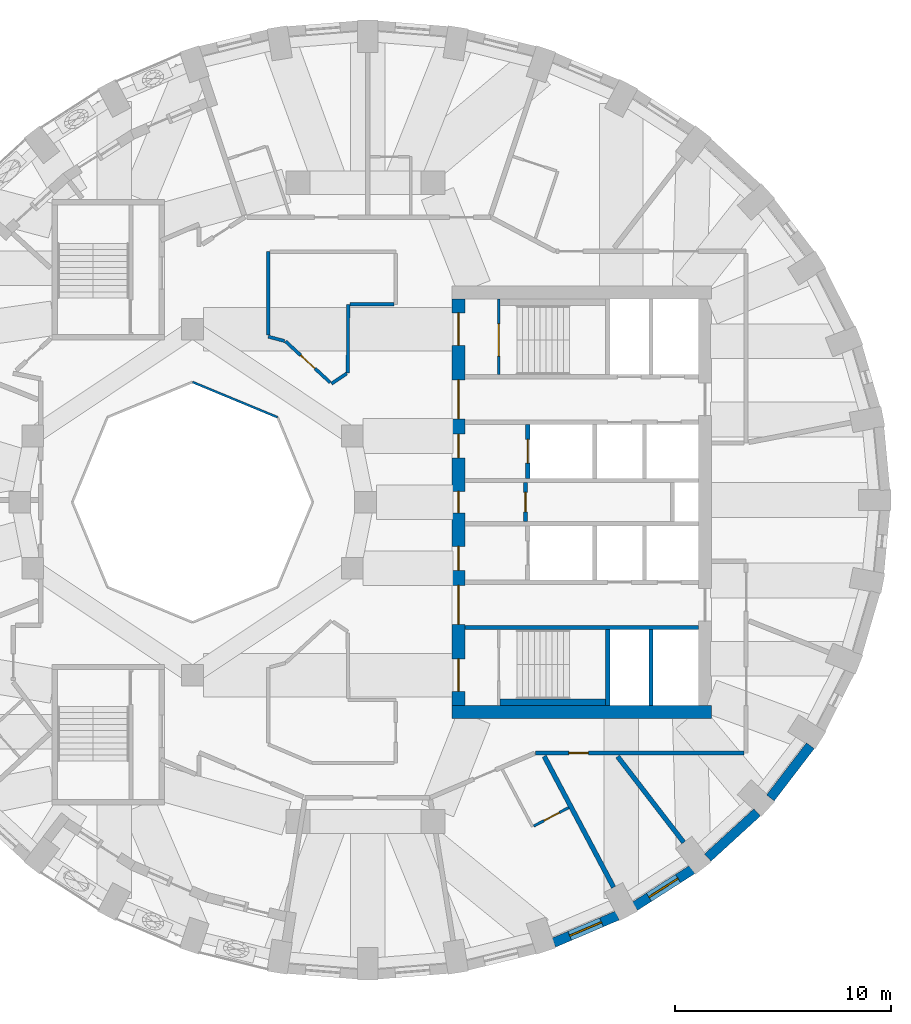
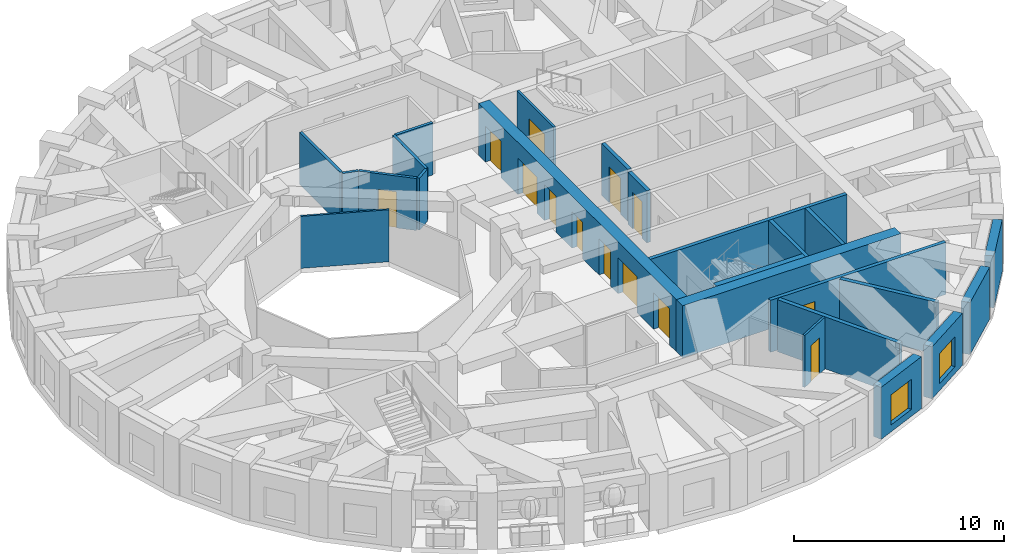
# One storey, part 5 of 12: 24 walls, 13 doors, 2 windows, 15 openings.
"""IFC4 building model written with IfcOpenShell, lengths in metres."""

from ifc_helpers import new_model, si_unit, direction, frame, frame_2d, origin, place, context, subcontext, project, spatial, rectangle, extrude, material, layer, layer_set, type_object, element, fill, save


model = new_model("IFC4")

# Units and contexts
model_context = context("Model", 3, precision=1e-05, world=origin(), true_north=direction((0.0, 1.0)))
body_context = subcontext(model_context, "Body", "Model", "MODEL_VIEW")
ifc_project = project(units=[si_unit("LENGTHUNIT", "METRE"), si_unit("AREAUNIT", "SQUARE_METRE"), si_unit("VOLUMEUNIT", "CUBIC_METRE"), si_unit("PLANEANGLEUNIT", "RADIAN"), si_unit("MASSUNIT", "GRAM", prefix="KILO")], contexts=[model_context])

# Site, building, storey
site_placement = place(None, origin())
site = spatial("IfcSite", under=ifc_project, at=site_placement, CompositionType="ELEMENT")
building_placement = place(site_placement, origin())
building = spatial("IfcBuilding", under=site, at=building_placement, Name="Taillehof Tower", CompositionType="ELEMENT")
storey_placement = place(building_placement, frame((0.0, 0.0, 164.89990234375)))
storey = spatial("IfcBuildingStorey", under=building, at=storey_placement, Name="L46", CompositionType="ELEMENT", Elevation=164.89990234375)

# Wall
ifc_material_1 = material(Name="Fire-resisting glass in steel frame", Category="steel")
ifc_layer_1 = layer(ifc_material_1, 0.10009765625)
ifc_layer_set_1 = layer_set([ifc_layer_1], Name="Atrium fire-resisting screen EI 60 100")
wall_type_1 = type_object("IfcWallType", Name="Atrium fire-resisting screen EI 60 100", PredefinedType="PARTITIONING", material=ifc_layer_set_1)
wall_1_placement = place(storey_placement, frame((-8.0, 5.55419921875, 0.0), z_axis=(0.0, 0.0, 1.0), x_axis=(0.923860025149, -0.382730523909, 0.0)))
element("IfcWall", 1, at=wall_1_placement, inside=storey, type_object=wall_type_1, Name="Atrium screen", PredefinedType="PARTITIONING", context=body_context, shape_type="SweptSolid", body=[
    extrude(rectangle(XDim=4.2509765625, YDim=0.10009765625, at=frame_2d((2.12548828125, 0.0))), origin(), (0.0, 0.0, 1.0), 3.02001953125),
])

# Wall, opening, window
ifc_material_2 = material(Name="Brick masonry", Category="masonry")
ifc_layer_2 = layer(ifc_material_2, 0.449951171875)
ifc_layer_set_2 = layer_set([ifc_layer_2], Name="Brick infill wall 450")
wall_type_2 = type_object("IfcWallType", Name="Brick infill wall 450", PredefinedType="SOLIDWALL", material=ifc_layer_set_2)
wall_2_placement = place(storey_placement, frame((8.706298828125, -20.37451171875, 0.0), z_axis=(0.0, 0.0, 1.0), x_axis=(0.91981046949, 0.392362969986, 0.0)))
wall_2 = element("IfcWall", 2, at=wall_2_placement, inside=storey, type_object=wall_type_2, Name="Brick wall L46 bay 30", PredefinedType="SOLIDWALL", context=body_context, shape_type="SweptSolid", body=[
    extrude(rectangle(XDim=3.20068359375, YDim=0.449951171875, at=frame_2d((1.600341796875, 0.0))), origin(), (0.0, 0.0, 1.0), 3.02001953125),
])
opening_1_placement = place(wall_2_placement, frame((0.80029296875, 0.0, 0.39990234375)))
opening_1 = element("IfcOpeningElement", 3, at=opening_1_placement, cuts=wall_2, Name="Opening W3", PredefinedType="OPENING", context=body_context, shape_type="SweptSolid", body=[
    extrude(rectangle(XDim=1.60009765625, YDim=1.75, at=frame_2d((0.800048828125, 0.875))), frame((0.0, 0.23486328125, 0.0), z_axis=(0.0, -1.0, 0.0), x_axis=(1.0, 0.0, 0.0)), (0.0, 0.0, 1.0), 0.469970703125),
])
ifc_material_3 = material(Name="Aluminium window frame with clear double glazing", Category="aluminium")
window_type = type_object("IfcWindowType", Name="Deep-set window 1600x1750", PartitioningType="SINGLE_PANEL", PredefinedType="WINDOW", material=ifc_material_3)
window_1_placement = place(opening_1_placement, origin())
window_1 = element("IfcWindow", 4, at=window_1_placement, inside=storey, type_object=window_type, Name="W3", OverallHeight=1.75, OverallWidth=1.60009765625, PartitioningType="SINGLE_PANEL", PredefinedType="WINDOW", context=body_context, shape_type="SweptSolid", body=[
    extrude(rectangle(XDim=1.60009765625, YDim=1.75, at=frame_2d((0.800048828125, 0.875))), frame((0.0, 0.034912109375, 0.0), z_axis=(0.0, -1.0, 0.0), x_axis=(1.0, 0.0, 0.0)), (0.0, 0.0, 1.0), 0.06005859375),
])
fill(opening_1, window_1)

wall_3_placement = place(storey_placement, frame((12.454833984375, -18.693115234375, 0.0), z_axis=(0.0, 0.0, 1.0), x_axis=(0.842065914439, 0.539374633943, 0.0)))
wall_3 = element("IfcWall", 5, at=wall_3_placement, inside=storey, type_object=wall_type_2, Name="Brick wall L46 bay 31", PredefinedType="SOLIDWALL", context=body_context, shape_type="SweptSolid", body=[
    extrude(rectangle(XDim=3.1513671875, YDim=0.449951171875, at=frame_2d((1.57568359375, 0.0))), origin(), (0.0, 0.0, 1.0), 3.02001953125),
])
opening_2_placement = place(wall_3_placement, frame((0.775634765625, 0.0, 0.39990234375)))
opening_2 = element("IfcOpeningElement", 6, at=opening_2_placement, cuts=wall_3, Name="Opening W3", PredefinedType="OPENING", context=body_context, shape_type="SweptSolid", body=[
    extrude(rectangle(XDim=1.60009765625, YDim=1.75, at=frame_2d((0.800048828125, 0.875))), frame((0.0, 0.23486328125, 0.0), z_axis=(0.0, -1.0, 0.0), x_axis=(1.0, 0.0, 0.0)), (0.0, 0.0, 1.0), 0.469970703125),
])
window_2_placement = place(opening_2_placement, origin())
window_2 = element("IfcWindow", 7, at=window_2_placement, inside=storey, type_object=window_type, Name="W3", OverallHeight=1.75, OverallWidth=1.60009765625, PartitioningType="SINGLE_PANEL", PredefinedType="WINDOW", context=body_context, shape_type="SweptSolid", body=[
    extrude(rectangle(XDim=1.60009765625, YDim=1.75, at=frame_2d((0.800048828125, 0.875))), frame((0.0, 0.034912109375, 0.0), z_axis=(0.0, -1.0, 0.0), x_axis=(1.0, 0.0, 0.0)), (0.0, 0.0, 1.0), 0.06005859375),
])
fill(opening_2, window_2)

# Walls
wall_4_placement = place(storey_placement, frame((15.830078125, -16.438720703125, 0.0), z_axis=(0.0, 0.0, 1.0), x_axis=(0.737808755941, 0.675009807082, 0.0)))
element("IfcWall", 8, at=wall_4_placement, inside=storey, type_object=wall_type_2, Name="Brick wall L46 bay 32", PredefinedType="SOLIDWALL", context=body_context, shape_type="SweptSolid", body=[
    extrude(rectangle(XDim=3.094482421875, YDim=0.449951171875, at=frame_2d((1.54736328125, 0.0))), origin(), (0.0, 0.0, 1.0), 3.02001953125),
])
wall_5_placement = place(storey_placement, frame((18.72802734375, -13.6787109375, 0.0), z_axis=(0.0, 0.0, 1.0), x_axis=(0.607817056371, 0.794077090706, 0.0)))
element("IfcWall", 9, at=wall_5_placement, inside=storey, type_object=wall_type_2, Name="Brick wall L46 bay 33", PredefinedType="SOLIDWALL", context=body_context, shape_type="SweptSolid", body=[
    extrude(rectangle(XDim=3.037109375, YDim=0.449951171875, at=frame_2d((1.5185546875, 0.0))), origin(), (0.0, 0.0, 1.0), 3.02001953125),
])

# Wall, opening, door
ifc_material_4 = material(Name="Calcium silicate masonry", Category="masonry")
ifc_layer_3 = layer(ifc_material_4, 0.199951171875)
ifc_layer_set_3 = layer_set([ifc_layer_3], Name="Compartment wall calcium silicate 200")
wall_type_3 = type_object("IfcWallType", Name="Compartment wall calcium silicate 200", PredefinedType="PARTITIONING", material=ifc_layer_set_3)
wall_6_placement = place(storey_placement, frame((7.39990234375, -0.89990234375, 0.0), z_axis=(0.0, 0.0, 1.0), x_axis=(0.0, 1.0, 0.0)))
wall_6 = element("IfcWall", 10, at=wall_6_placement, inside=storey, type_object=wall_type_3, Name="Compartment wall FW", PredefinedType="PARTITIONING", context=body_context, shape_type="SweptSolid", body=[
    extrude(rectangle(XDim=1.7998046875, YDim=0.199951171875, at=frame_2d((0.89990234375, 0.0))), origin(), (0.0, 0.0, 1.0), 3.02001953125),
])
opening_3_placement = place(wall_6_placement, frame((0.449951171875, 0.0, 0.0)))
opening_3 = element("IfcOpeningElement", 11, at=opening_3_placement, cuts=wall_6, Name="Opening D4614", PredefinedType="OPENING", context=body_context, shape_type="SweptSolid", body=[
    extrude(rectangle(XDim=0.89990234375, YDim=2.10009765625, at=frame_2d((0.449951171875, 1.050048828125))), frame((0.0, 0.10986328125, 0.0), z_axis=(0.0, -1.0, 0.0), x_axis=(1.0, 0.0, 0.0)), (0.0, 0.0, 1.0), 0.219970703125),
])
ifc_material_5 = material(Name="Steel-faced fire door", Category="steel")
door_type_1 = type_object("IfcDoorType", Name="Riser and service room door 900x2100", OperationType="SINGLE_SWING_LEFT", PredefinedType="DOOR", material=ifc_material_5)
door_1_placement = place(opening_3_placement, origin())
door_1 = element("IfcDoor", 12, at=door_1_placement, inside=storey, type_object=door_type_1, Name="Door Beverage Store", OperationType="SINGLE_SWING_RIGHT", OverallHeight=2.10009765625, OverallWidth=0.89990234375, PredefinedType="DOOR", context=body_context, shape_type="SweptSolid", body=[
    extrude(rectangle(XDim=0.89990234375, YDim=2.10009765625, at=frame_2d((0.449951171875, 1.050048828125))), frame((0.0, 0.02490234375, 0.0), z_axis=(0.0, -1.0, 0.0), x_axis=(1.0, 0.0, 0.0)), (0.0, 0.0, 1.0), 0.050048828125),
])
fill(opening_3, door_1)

ifc_material_6 = material(Name="Gypsum board on steel studs, two layers each side", Category="steel")
ifc_layer_4 = layer(ifc_material_6, 0.199951171875)
ifc_layer_set_4 = layer_set([ifc_layer_4], Name="Compartment wall corridor 200")
wall_type_4 = type_object("IfcWallType", Name="Compartment wall corridor 200", PredefinedType="PARTITIONING", material=ifc_layer_set_4)
wall_7_placement = place(storey_placement, frame((17.5, -11.60009765625, 0.0), z_axis=(0.0, 0.0, 1.0), x_axis=(-1.0, 0.0, 0.0)))
wall_7 = element("IfcWall", 13, at=wall_7_placement, inside=storey, type_object=wall_type_4, Name="Compartment wall", PredefinedType="PARTITIONING", context=body_context, shape_type="SweptSolid", body=[
    extrude(rectangle(XDim=9.64697265625, YDim=0.199951171875, at=frame_2d((4.823486328125, 0.0))), origin(), (0.0, 0.0, 1.0), 3.02001953125),
])
opening_4_placement = place(wall_7_placement, frame((7.192138671875, 0.0, 0.0)))
opening_4 = element("IfcOpeningElement", 14, at=opening_4_placement, cuts=wall_7, Name="Opening D4656", PredefinedType="OPENING", context=body_context, shape_type="SweptSolid", body=[
    extrude(rectangle(XDim=0.89990234375, YDim=2.10009765625, at=frame_2d((0.449951171875, 1.050048828125))), frame((0.0, 0.10986328125, 0.0), z_axis=(0.0, -1.0, 0.0), x_axis=(1.0, 0.0, 0.0)), (0.0, 0.0, 1.0), 0.219970703125),
])
ifc_material_7 = material(Name="Timber door leaf in steel frame", Category="steel")
door_type_2 = type_object("IfcDoorType", Name="Service room door EI 30 900 x 2100", OperationType="SINGLE_SWING_LEFT", PredefinedType="DOOR", material=ifc_material_7)
door_2_placement = place(opening_4_placement, origin())
door_2 = element("IfcDoor", 15, at=door_2_placement, inside=storey, type_object=door_type_2, Name="D4656", OperationType="SINGLE_SWING_RIGHT", OverallHeight=2.10009765625, OverallWidth=0.89990234375, PredefinedType="DOOR", context=body_context, shape_type="SweptSolid", body=[
    extrude(rectangle(XDim=0.89990234375, YDim=2.10009765625, at=frame_2d((0.449951171875, 1.050048828125))), frame((0.0, 0.02490234375, 0.0), z_axis=(0.0, -1.0, 0.0), x_axis=(1.0, 0.0, 0.0)), (0.0, 0.0, 1.0), 0.050048828125),
])
fill(opening_4, door_2)

# Walls
ifc_material_8 = material(Name="Gypsum board on double steel studs with mineral wool", Category="steel")
ifc_layer_5 = layer(ifc_material_8, 0.219970703125)
ifc_layer_set_5 = layer_set([ifc_layer_5], Name="Compartment wall guest room 220")
wall_type_5 = type_object("IfcWallType", Name="Compartment wall guest room 220", PredefinedType="PARTITIONING", material=ifc_layer_set_5)
wall_8_placement = place(storey_placement, frame((11.473876953125, -17.8134765625, 0.0), z_axis=(0.0, 0.0, 1.0), x_axis=(-0.468051273849, 0.88370130986, 0.0)))
element("IfcWall", 16, at=wall_8_placement, inside=storey, type_object=wall_type_5, Name="Compartment wall", PredefinedType="PARTITIONING", context=body_context, shape_type="SweptSolid", body=[
    extrude(rectangle(XDim=6.858154296875, YDim=0.219970703125, at=frame_2d((3.42919921875, 0.0))), origin(), (0.0, 0.0, 1.0), 3.02001953125),
])
wall_9_placement = place(storey_placement, frame((14.7158203125, -15.7373046875, 0.0), z_axis=(0.0, 0.0, 1.0), x_axis=(-0.609986007715, 0.792412184657, 0.0)))
element("IfcWall", 17, at=wall_9_placement, inside=storey, type_object=wall_type_5, Name="Compartment wall", PredefinedType="PARTITIONING", context=body_context, shape_type="SweptSolid", body=[
    extrude(rectangle(XDim=5.0146484375, YDim=0.219970703125, at=frame_2d((2.50732421875, 0.0))), origin(), (0.0, 0.0, 1.0), 3.02001953125),
])
ifc_material_9 = material(Name="Calcium silicate masonry", Category="masonry")
ifc_layer_6 = layer(ifc_material_9, 0.300048828125)
ifc_layer_set_6 = layer_set([ifc_layer_6], Name="Compartment wall lining calcium silicate 300")
wall_type_6 = type_object("IfcWallType", Name="Compartment wall lining calcium silicate 300", PredefinedType="PARTITIONING", material=ifc_layer_set_6)
wall_10_placement = place(storey_placement, frame((6.219970703125, -9.25, 0.0), z_axis=(0.0, 0.0, 1.0), x_axis=(1.0, 0.0, 0.0)))
element("IfcWall", 18, at=wall_10_placement, inside=storey, type_object=wall_type_6, Name="Compartment wall FW", PredefinedType="PARTITIONING", context=body_context, shape_type="SweptSolid", body=[
    extrude(rectangle(XDim=4.880126953125, YDim=0.300048828125, at=frame_2d((2.43994140625, 0.0))), origin(), (0.0, 0.0, 1.0), 3.02001953125),
])
ifc_material_10 = material(Name="Gypsum board on steel studs, two layers each side", Category="steel")
ifc_layer_7 = layer(ifc_material_10, 0.14990234375)
ifc_layer_set_7 = layer_set([ifc_layer_7], Name="Compartment wall service room 150")
wall_type_7 = type_object("IfcWallType", Name="Compartment wall service room 150", PredefinedType="PARTITIONING", material=ifc_layer_set_7)
wall_11_placement = place(storey_placement, frame((-0.800048828125, 9.14990234375, 0.0), z_axis=(0.0, 0.0, 1.0), x_axis=(-0.007013855529, -0.999975402613, 0.0)))
element("IfcWall", 19, at=wall_11_placement, inside=storey, type_object=wall_type_7, Name="Compartment wall", PredefinedType="PARTITIONING", context=body_context, shape_type="SweptSolid", body=[
    extrude(rectangle(XDim=3.16748046875, YDim=0.14990234375, at=frame_2d((1.583740234375, 0.0))), origin(), (0.0, 0.0, 1.0), 3.02001953125),
])
wall_12_placement = place(storey_placement, frame((-0.8720703125, 5.94873046875, 0.0), z_axis=(0.0, 0.0, 1.0), x_axis=(-0.831694574928, -0.555233405006, 0.0)))
element("IfcWall", 20, at=wall_12_placement, inside=storey, type_object=wall_type_7, Name="Compartment wall", PredefinedType="PARTITIONING", context=body_context, shape_type="SweptSolid", body=[
    extrude(rectangle(XDim=0.84521484375, YDim=0.14990234375, at=frame_2d((0.422607421875, 0.0))), origin(), (0.0, 0.0, 1.0), 3.02001953125),
])

# Wall, opening, door
wall_13_placement = place(storey_placement, frame((-1.633544921875, 5.5341796875, 0.0), z_axis=(0.0, 0.0, 1.0), x_axis=(-0.735398368623, 0.67763503409, 0.0)))
wall_13 = element("IfcWall", 21, at=wall_13_placement, inside=storey, type_object=wall_type_7, Name="Compartment wall", PredefinedType="PARTITIONING", context=body_context, shape_type="SweptSolid", body=[
    extrude(rectangle(XDim=2.81494140625, YDim=0.14990234375, at=frame_2d((1.407470703125, 0.0))), origin(), (0.0, 0.0, 1.0), 3.02001953125),
])
opening_5_placement = place(wall_13_placement, frame((0.95751953125, 0.0, 0.0)))
opening_5 = element("IfcOpeningElement", 22, at=opening_5_placement, cuts=wall_13, Name="Opening D4660", PredefinedType="OPENING", context=body_context, shape_type="SweptSolid", body=[
    extrude(rectangle(XDim=0.89990234375, YDim=2.10009765625, at=frame_2d((0.449951171875, 1.050048828125))), frame((0.0, 0.0849609375, 0.0), z_axis=(0.0, -1.0, 0.0), x_axis=(1.0, 0.0, 0.0)), (0.0, 0.0, 1.0), 0.169921875),
])
door_3_placement = place(opening_5_placement, origin())
door_3 = element("IfcDoor", 23, at=door_3_placement, inside=storey, type_object=door_type_2, Name="D4660", OperationType="SINGLE_SWING_RIGHT", OverallHeight=2.10009765625, OverallWidth=0.89990234375, PredefinedType="DOOR", context=body_context, shape_type="SweptSolid", body=[
    extrude(rectangle(XDim=0.89990234375, YDim=2.10009765625, at=frame_2d((0.449951171875, 1.050048828125))), frame((0.0, 0.02490234375, 0.0), z_axis=(0.0, -1.0, 0.0), x_axis=(1.0, 0.0, 0.0)), (0.0, 0.0, 1.0), 0.050048828125),
])
fill(opening_5, door_3)

# Walls
wall_14_placement = place(storey_placement, frame((-3.7421875, 7.451904296875, 0.0), z_axis=(0.0, 0.0, 1.0), x_axis=(-0.965903596155, 0.258901994846, 0.0)))
element("IfcWall", 24, at=wall_14_placement, inside=storey, type_object=wall_type_7, Name="Compartment wall", PredefinedType="PARTITIONING", context=body_context, shape_type="SweptSolid", body=[
    extrude(rectangle(XDim=0.78466796875, YDim=0.14990234375, at=frame_2d((0.392333984375, 0.0))), origin(), (0.0, 0.0, 1.0), 3.02001953125),
])
wall_15_placement = place(storey_placement, frame((-4.5, 7.735107421875, 0.0), z_axis=(0.0, 0.0, 1.0), x_axis=(0.0, 1.0, 0.0)))
element("IfcWall", 25, at=wall_15_placement, inside=storey, type_object=wall_type_7, Name="Compartment wall", PredefinedType="PARTITIONING", context=body_context, shape_type="SweptSolid", body=[
    extrude(rectangle(XDim=3.84814453125, YDim=0.14990234375, at=frame_2d((1.924072265625, 0.0))), origin(), (0.0, 0.0, 1.0), 3.02001953125),
])
wall_16_placement = place(storey_placement, frame((1.31982421875, 9.14990234375, 0.0), z_axis=(0.0, 0.0, 1.0), x_axis=(-1.0, 0.0, 0.0)))
element("IfcWall", 26, at=wall_16_placement, inside=storey, type_object=wall_type_7, Name="Compartment wall", PredefinedType="PARTITIONING", context=body_context, shape_type="SweptSolid", body=[
    extrude(rectangle(XDim=2.039794921875, YDim=0.14990234375, at=frame_2d((1.02001953125, 0.0))), origin(), (0.0, 0.0, 1.0), 3.02001953125),
])

# Wall, openings, doors
ifc_material_11 = material(Name="Concrete C80/95", Category="concrete")
ifc_layer_8 = layer(ifc_material_11, 0.60009765625)
ifc_layer_set_8 = layer_set([ifc_layer_8], Name="Core wall C80/95 600")
wall_type_8 = type_object("IfcWallType", Name="Core wall C80/95 600", PredefinedType="SHEAR", material=ifc_layer_set_8)
wall_17_placement = place(storey_placement, frame((4.300048828125, -9.39990234375, 0.0), z_axis=(0.0, 0.0, 1.0), x_axis=(0.0, 1.0, 0.0)))
wall_17 = element("IfcWall", 27, at=wall_17_placement, inside=storey, type_object=wall_type_8, Name="Core wall CW01", PredefinedType="SHEAR", context=body_context, shape_type="SweptSolid", body=[
    extrude(rectangle(XDim=18.7998046875, YDim=0.60009765625, at=frame_2d((9.39990234375, 0.0))), origin(), (0.0, 0.0, 1.0), 3.02001953125),
])
opening_6_placement = place(wall_17_placement, frame((0.64990234375, 0.0, 0.0)))
opening_6 = element("IfcOpeningElement", 28, at=opening_6_placement, cuts=wall_17, Name="Opening D4601", PredefinedType="OPENING", context=body_context, shape_type="SweptSolid", body=[
    extrude(rectangle(XDim=1.5, YDim=2.10009765625, at=frame_2d((0.75, 1.050048828125))), frame((0.0, 0.31005859375, 0.0), z_axis=(0.0, -1.0, 0.0), x_axis=(1.0, 0.0, 0.0)), (0.0, 0.0, 1.0), 0.6201171875),
])
opening_7_placement = place(wall_17_placement, frame((3.75, 0.0, 0.0)))
opening_7 = element("IfcOpeningElement", 29, at=opening_7_placement, cuts=wall_17, Name="Opening D4602", PredefinedType="OPENING", context=body_context, shape_type="SweptSolid", body=[
    extrude(rectangle(XDim=1.800048828125, YDim=2.10009765625, at=frame_2d((0.89990234375, 1.050048828125))), frame((0.0, 0.31005859375, 0.0), z_axis=(0.0, -1.0, 0.0), x_axis=(1.0, 0.0, 0.0)), (0.0, 0.0, 1.0), 0.6201171875),
])
opening_8_placement = place(wall_17_placement, frame((6.25, 0.0, 0.0)))
opening_8 = element("IfcOpeningElement", 30, at=opening_8_placement, cuts=wall_17, Name="Opening D4603", PredefinedType="OPENING", context=body_context, shape_type="SweptSolid", body=[
    extrude(rectangle(XDim=1.10009765625, YDim=2.10009765625, at=frame_2d((0.550048828125, 1.050048828125))), frame((0.0, 0.31005859375, 0.0), z_axis=(0.0, -1.0, 0.0), x_axis=(1.0, 0.0, 0.0)), (0.0, 0.0, 1.0), 0.6201171875),
])
opening_9_placement = place(wall_17_placement, frame((8.89990234375, 0.0, 0.0)))
opening_9 = element("IfcOpeningElement", 31, at=opening_9_placement, cuts=wall_17, Name="Opening D4604", PredefinedType="OPENING", context=body_context, shape_type="SweptSolid", body=[
    extrude(rectangle(XDim=1.0, YDim=2.10009765625, at=frame_2d((0.5, 1.050048828125))), frame((0.0, 0.31005859375, 0.0), z_axis=(0.0, -1.0, 0.0), x_axis=(1.0, 0.0, 0.0)), (0.0, 0.0, 1.0), 0.6201171875),
])
opening_10_placement = place(wall_17_placement, frame((11.449951171875, 0.0, 0.0)))
opening_10 = element("IfcOpeningElement", 32, at=opening_10_placement, cuts=wall_17, Name="Opening D4605", PredefinedType="OPENING", context=body_context, shape_type="SweptSolid", body=[
    extrude(rectangle(XDim=1.10009765625, YDim=2.10009765625, at=frame_2d((0.550048828125, 1.050048828125))), frame((0.0, 0.31005859375, 0.0), z_axis=(0.0, -1.0, 0.0), x_axis=(1.0, 0.0, 0.0)), (0.0, 0.0, 1.0), 0.6201171875),
])
opening_11_placement = place(wall_17_placement, frame((13.25, 0.0, 0.0)))
opening_11 = element("IfcOpeningElement", 33, at=opening_11_placement, cuts=wall_17, Name="Opening D4606", PredefinedType="OPENING", context=body_context, shape_type="SweptSolid", body=[
    extrude(rectangle(XDim=1.800048828125, YDim=2.10009765625, at=frame_2d((0.89990234375, 1.050048828125))), frame((0.0, 0.31005859375, 0.0), z_axis=(0.0, -1.0, 0.0), x_axis=(1.0, 0.0, 0.0)), (0.0, 0.0, 1.0), 0.6201171875),
])
opening_12_placement = place(wall_17_placement, frame((16.64990234375, 0.0, 0.0)))
opening_12 = element("IfcOpeningElement", 34, at=opening_12_placement, cuts=wall_17, Name="Opening D4607", PredefinedType="OPENING", context=body_context, shape_type="SweptSolid", body=[
    extrude(rectangle(XDim=1.5, YDim=2.10009765625, at=frame_2d((0.75, 1.050048828125))), frame((0.0, 0.31005859375, 0.0), z_axis=(0.0, -1.0, 0.0), x_axis=(1.0, 0.0, 0.0)), (0.0, 0.0, 1.0), 0.6201171875),
])
ifc_material_12 = material(Name="Steel-faced fire door", Category="steel")
door_type_3 = type_object("IfcDoorType", Name="Firefighting lobby door 1100x2100", OperationType="SINGLE_SWING_RIGHT", PredefinedType="DOOR", material=ifc_material_12)
door_4_placement = place(opening_8_placement, origin())
door_4 = element("IfcDoor", 35, at=door_4_placement, inside=storey, type_object=door_type_3, Name="Firefighting lobby door FFL-S", OperationType="SINGLE_SWING_RIGHT", OverallHeight=2.10009765625, OverallWidth=1.10009765625, PredefinedType="DOOR", context=body_context, shape_type="SweptSolid", body=[
    extrude(rectangle(XDim=1.10009765625, YDim=2.10009765625, at=frame_2d((0.550048828125, 1.050048828125))), frame((0.0, 0.02490234375, 0.0), z_axis=(0.0, -1.0, 0.0), x_axis=(1.0, 0.0, 0.0)), (0.0, 0.0, 1.0), 0.050048828125),
])
fill(opening_8, door_4)
door_5_placement = place(opening_10_placement, origin())
door_5 = element("IfcDoor", 36, at=door_5_placement, inside=storey, type_object=door_type_3, Name="Firefighting lobby door FFL-N", OperationType="SINGLE_SWING_LEFT", OverallHeight=2.10009765625, OverallWidth=1.10009765625, PredefinedType="DOOR", context=body_context, shape_type="SweptSolid", body=[
    extrude(rectangle(XDim=1.10009765625, YDim=2.10009765625, at=frame_2d((0.550048828125, 1.050048828125))), frame((0.0, 0.02490234375, 0.0), z_axis=(0.0, -1.0, 0.0), x_axis=(1.0, 0.0, 0.0)), (0.0, 0.0, 1.0), 0.050048828125),
])
fill(opening_10, door_5)
ifc_material_13 = material(Name="Steel-faced fire door", Category="steel")
door_type_4 = type_object("IfcDoorType", Name="Lift lobby door 1800x2100", OperationType="DOUBLE_DOOR_SINGLE_SWING", PredefinedType="DOOR", material=ifc_material_13)
door_6_placement = place(opening_7_placement, origin())
door_6 = element("IfcDoor", 37, at=door_6_placement, inside=storey, type_object=door_type_4, Name="Lift lobby door LL-S", OperationType="DOUBLE_DOOR_SINGLE_SWING", OverallHeight=2.10009765625, OverallWidth=1.800048828125, PredefinedType="DOOR", context=body_context, shape_type="SweptSolid", body=[
    extrude(rectangle(XDim=1.800048828125, YDim=2.10009765625, at=frame_2d((0.89990234375, 1.050048828125))), frame((0.0, 0.02490234375, 0.0), z_axis=(0.0, -1.0, 0.0), x_axis=(1.0, 0.0, 0.0)), (0.0, 0.0, 1.0), 0.050048828125),
])
fill(opening_7, door_6)
door_7_placement = place(opening_11_placement, origin())
door_7 = element("IfcDoor", 38, at=door_7_placement, inside=storey, type_object=door_type_4, Name="Lift lobby door LL-N", OperationType="DOUBLE_DOOR_SINGLE_SWING", OverallHeight=2.10009765625, OverallWidth=1.800048828125, PredefinedType="DOOR", context=body_context, shape_type="SweptSolid", body=[
    extrude(rectangle(XDim=1.800048828125, YDim=2.10009765625, at=frame_2d((0.89990234375, 1.050048828125))), frame((0.0, 0.02490234375, 0.0), z_axis=(0.0, -1.0, 0.0), x_axis=(1.0, 0.0, 0.0)), (0.0, 0.0, 1.0), 0.050048828125),
])
fill(opening_11, door_7)
ifc_material_14 = material(Name="Steel-faced fire door", Category="steel")
door_type_5 = type_object("IfcDoorType", Name="Service door 1000x2100", OperationType="SINGLE_SWING_RIGHT", PredefinedType="DOOR", material=ifc_material_14)
door_8_placement = place(opening_9_placement, origin())
door_8 = element("IfcDoor", 39, at=door_8_placement, inside=storey, type_object=door_type_5, Name="Service door SV", OperationType="SINGLE_SWING_LEFT", OverallHeight=2.10009765625, OverallWidth=1.0, PredefinedType="DOOR", context=body_context, shape_type="SweptSolid", body=[
    extrude(rectangle(XDim=1.0, YDim=2.10009765625, at=frame_2d((0.5, 1.050048828125))), frame((0.0, 0.02490234375, 0.0), z_axis=(0.0, -1.0, 0.0), x_axis=(1.0, 0.0, 0.0)), (0.0, 0.0, 1.0), 0.050048828125),
])
fill(opening_9, door_8)
ifc_material_15 = material(Name="Steel-faced fire door", Category="steel")
door_type_6 = type_object("IfcDoorType", Name="Stair door 1500x2100", OperationType="DOUBLE_DOOR_SINGLE_SWING", PredefinedType="DOOR", material=ifc_material_15)
door_9_placement = place(opening_6_placement, origin())
door_9 = element("IfcDoor", 40, at=door_9_placement, inside=storey, type_object=door_type_6, Name="Stair door S2", OperationType="DOUBLE_DOOR_SINGLE_SWING", OverallHeight=2.10009765625, OverallWidth=1.5, PredefinedType="DOOR", context=body_context, shape_type="SweptSolid", body=[
    extrude(rectangle(XDim=1.5, YDim=2.10009765625, at=frame_2d((0.75, 1.050048828125))), frame((0.0, 0.02490234375, 0.0), z_axis=(0.0, -1.0, 0.0), x_axis=(1.0, 0.0, 0.0)), (0.0, 0.0, 1.0), 0.050048828125),
])
fill(opening_6, door_9)
door_10_placement = place(opening_12_placement, origin())
door_10 = element("IfcDoor", 41, at=door_10_placement, inside=storey, type_object=door_type_6, Name="Stair door S1", OperationType="DOUBLE_DOOR_SINGLE_SWING", OverallHeight=2.10009765625, OverallWidth=1.5, PredefinedType="DOOR", context=body_context, shape_type="SweptSolid", body=[
    extrude(rectangle(XDim=1.5, YDim=2.10009765625, at=frame_2d((0.75, 1.050048828125))), frame((0.0, 0.02490234375, 0.0), z_axis=(0.0, -1.0, 0.0), x_axis=(1.0, 0.0, 0.0)), (0.0, 0.0, 1.0), 0.050048828125),
])
fill(opening_12, door_10)

# Wall
wall_18_placement = place(storey_placement, frame((4.0, -9.699951171875, 0.0), z_axis=(0.0, 0.0, 1.0), x_axis=(1.0, 0.0, 0.0)))
element("IfcWall", 42, at=wall_18_placement, inside=storey, type_object=wall_type_8, Name="Core wall CW07", PredefinedType="SHEAR", context=body_context, shape_type="SweptSolid", body=[
    extrude(rectangle(XDim=12.0, YDim=0.60009765625, at=frame_2d((6.0, 0.0))), origin(), (0.0, 0.0, 1.0), 3.02001953125),
])

# Wall, opening, door
ifc_material_16 = material(Name="Gypsum board on steel studs, moisture resistant", Category="steel")
ifc_layer_9 = layer(ifc_material_16, 0.1201171875)
ifc_layer_set_9 = layer_set([ifc_layer_9], Name="En-suite wall 120")
wall_type_9 = type_object("IfcWallType", Name="En-suite wall 120", PredefinedType="PARTITIONING", material=ifc_layer_set_9)
wall_19_placement = place(storey_placement, frame((7.779052734375, -14.982666015625, 0.0), z_axis=(0.0, 0.0, 1.0), x_axis=(0.883697051485, 0.46805931376, 0.0)))
wall_19 = element("IfcWall", 43, at=wall_19_placement, inside=storey, type_object=wall_type_9, Name="En-suite wall", PredefinedType="PARTITIONING", context=body_context, shape_type="SweptSolid", body=[
    extrude(rectangle(XDim=1.830322265625, YDim=0.1201171875, at=frame_2d((0.9150390625, 0.0))), origin(), (0.0, 0.0, 1.0), 3.02001953125),
])
opening_13_placement = place(wall_19_placement, frame((0.540283203125, 0.0, 0.0)))
opening_13 = element("IfcOpeningElement", 44, at=opening_13_placement, cuts=wall_19, Name="Opening D4655", PredefinedType="OPENING", context=body_context, shape_type="SweptSolid", body=[
    extrude(rectangle(XDim=0.800048828125, YDim=2.10009765625, at=frame_2d((0.39990234375, 1.050048828125))), frame((0.0, 0.070068359375, 0.0), z_axis=(0.0, -1.0, 0.0), x_axis=(1.0, 0.0, 0.0)), (0.0, 0.0, 1.0), 0.14013671875),
])
ifc_material_17 = material(Name="Timber door leaf in steel frame", Category="steel")
door_type_7 = type_object("IfcDoorType", Name="En-suite door 800 x 2100", OperationType="SINGLE_SWING_LEFT", PredefinedType="DOOR", material=ifc_material_17)
door_11_placement = place(opening_13_placement, origin())
door_11 = element("IfcDoor", 45, at=door_11_placement, inside=storey, type_object=door_type_7, Name="D4655", OperationType="SINGLE_SWING_LEFT", OverallHeight=2.10009765625, OverallWidth=0.800048828125, PredefinedType="DOOR", context=body_context, shape_type="SweptSolid", body=[
    extrude(rectangle(XDim=0.800048828125, YDim=2.10009765625, at=frame_2d((0.39990234375, 1.050048828125))), frame((0.0, 0.02490234375, 0.0), z_axis=(0.0, -1.0, 0.0), x_axis=(1.0, 0.0, 0.0)), (0.0, 0.0, 1.0), 0.050048828125),
])
fill(opening_13, door_11)

# Walls
ifc_material_18 = material(Name="Concrete C50/60", Category="concrete")
ifc_layer_10 = layer(ifc_material_18, 0.199951171875)
ifc_layer_set_10 = layer_set([ifc_layer_10], Name="Shaft wall C50/60 200")
wall_type_10 = type_object("IfcWallType", Name="Shaft wall C50/60 200", PredefinedType="SHEAR", material=ifc_layer_set_10)
wall_20_placement = place(storey_placement, frame((4.60009765625, -5.800048828125, 0.0), z_axis=(0.0, 0.0, 1.0), x_axis=(1.0, 0.0, 0.0)))
element("IfcWall", 46, at=wall_20_placement, inside=storey, type_object=wall_type_10, Name="Shaft wall SW", PredefinedType="SHEAR", context=body_context, shape_type="SweptSolid", body=[
    extrude(rectangle(XDim=10.7998046875, YDim=0.199951171875, at=frame_2d((5.39990234375, 0.0))), origin(), (0.0, 0.0, 1.0), 3.02001953125),
])
for number, where, z_axis, x_axis, name in (
    (47, (11.199951171875, -9.39990234375, 0.0), (0.0, 0.0, 1.0), (0.0, 1.0, 0.0), "Shaft wall SW"),
    (48, (13.199951171875, -9.39990234375, 0.0), (0.0, 0.0, 1.0), (0.0, 1.0, 0.0), "Shaft wall SW"),
):
    element("IfcWall", number, at=place(storey_placement, frame(where, z_axis=z_axis, x_axis=x_axis)), inside=storey, type_object=wall_type_10, Name=name, PredefinedType="SHEAR", context=body_context, shape_type="SweptSolid", body=[
        extrude(rectangle(XDim=3.5, YDim=0.199951171875, at=frame_2d((1.75, 0.0))), origin(), (0.0, 0.0, 1.0), 3.02001953125),
    ])

# Wall, opening, door
wall_21_placement = place(storey_placement, frame((7.5, 1.10009765625, 0.0), z_axis=(0.0, 0.0, 1.0), x_axis=(0.0, 1.0, 0.0)))
wall_21 = element("IfcWall", 49, at=wall_21_placement, inside=storey, type_object=wall_type_10, Name="Shaft wall SW", PredefinedType="SHEAR", context=body_context, shape_type="SweptSolid", body=[
    extrude(rectangle(XDim=2.5, YDim=0.199951171875, at=frame_2d((1.25, 0.0))), origin(), (0.0, 0.0, 1.0), 3.02001953125),
])
opening_14_placement = place(wall_21_placement, frame((0.699951171875, 0.0, 0.0)))
opening_14 = element("IfcOpeningElement", 50, at=opening_14_placement, cuts=wall_21, Name="Opening LD1", PredefinedType="OPENING", context=body_context, shape_type="SweptSolid", body=[
    extrude(rectangle(XDim=1.10009765625, YDim=2.10009765625, at=frame_2d((0.550048828125, 1.050048828125))), frame((0.0, 0.10986328125, 0.0), z_axis=(0.0, -1.0, 0.0), x_axis=(1.0, 0.0, 0.0)), (0.0, 0.0, 1.0), 0.219970703125),
])
ifc_material_19 = material(Name="Stainless steel", Category="steel")
door_type_8 = type_object("IfcDoorType", Name="Lift landing door LD1 1100x2100", OperationType="DOUBLE_DOOR_SLIDING", PredefinedType="DOOR", material=ifc_material_19)
door_12_placement = place(opening_14_placement, origin())
door_12 = element("IfcDoor", 51, at=door_12_placement, inside=storey, type_object=door_type_8, Name="Landing door FF1", OperationType="DOUBLE_DOOR_SLIDING", OverallHeight=2.10009765625, OverallWidth=1.10009765625, PredefinedType="DOOR", context=body_context, shape_type="SweptSolid", body=[
    extrude(rectangle(XDim=1.10009765625, YDim=2.10009765625, at=frame_2d((0.550048828125, 1.050048828125))), frame((0.0, 0.02490234375, 0.0), z_axis=(0.0, -1.0, 0.0), x_axis=(1.0, 0.0, 0.0)), (0.0, 0.0, 1.0), 0.050048828125),
])
fill(opening_14, door_12)

ifc_material_20 = material(Name="Concrete C50/60", Category="concrete")
ifc_layer_11 = layer(ifc_material_20, 0.1201171875)
ifc_layer_set_11 = layer_set([ifc_layer_11], Name="Stair lobby wall C50/60 120")
wall_type_11 = type_object("IfcWallType", Name="Stair lobby wall C50/60 120", PredefinedType="SHEAR", material=ifc_layer_set_11)
wall_22_placement = place(storey_placement, frame((6.159912109375, 5.89990234375, 0.0), z_axis=(0.0, 0.0, 1.0), x_axis=(0.0, 1.0, 0.0)))
wall_22 = element("IfcWall", 52, at=wall_22_placement, inside=storey, type_object=wall_type_11, Name="Compartment wall SW", PredefinedType="SHEAR", context=body_context, shape_type="SweptSolid", body=[
    extrude(rectangle(XDim=3.5, YDim=0.1201171875, at=frame_2d((1.75, 0.0))), origin(), (0.0, 0.0, 1.0), 3.02001953125),
])
opening_15_placement = place(wall_22_placement, frame((0.85009765625, 0.0, 0.0)))
opening_15 = element("IfcOpeningElement", 53, at=opening_15_placement, cuts=wall_22, Name="Opening D4610", PredefinedType="OPENING", context=body_context, shape_type="SweptSolid", body=[
    extrude(rectangle(XDim=1.5, YDim=2.10009765625, at=frame_2d((0.75, 1.050048828125))), frame((0.0, 0.070068359375, 0.0), z_axis=(0.0, -1.0, 0.0), x_axis=(1.0, 0.0, 0.0)), (0.0, 0.0, 1.0), 0.14013671875),
])
door_13_placement = place(opening_15_placement, origin())
door_13 = element("IfcDoor", 54, at=door_13_placement, inside=storey, type_object=door_type_6, Name="Stair lobby door S1", OperationType="DOUBLE_DOOR_SINGLE_SWING", OverallHeight=2.10009765625, OverallWidth=1.5, PredefinedType="DOOR", context=body_context, shape_type="SweptSolid", body=[
    extrude(rectangle(XDim=1.5, YDim=2.10009765625, at=frame_2d((0.75, 1.050048828125))), frame((0.0, 0.02490234375, 0.0), z_axis=(0.0, -1.0, 0.0), x_axis=(1.0, 0.0, 0.0)), (0.0, 0.0, 1.0), 0.050048828125),
])
fill(opening_15, door_13)

save(model, "model.ifc")
